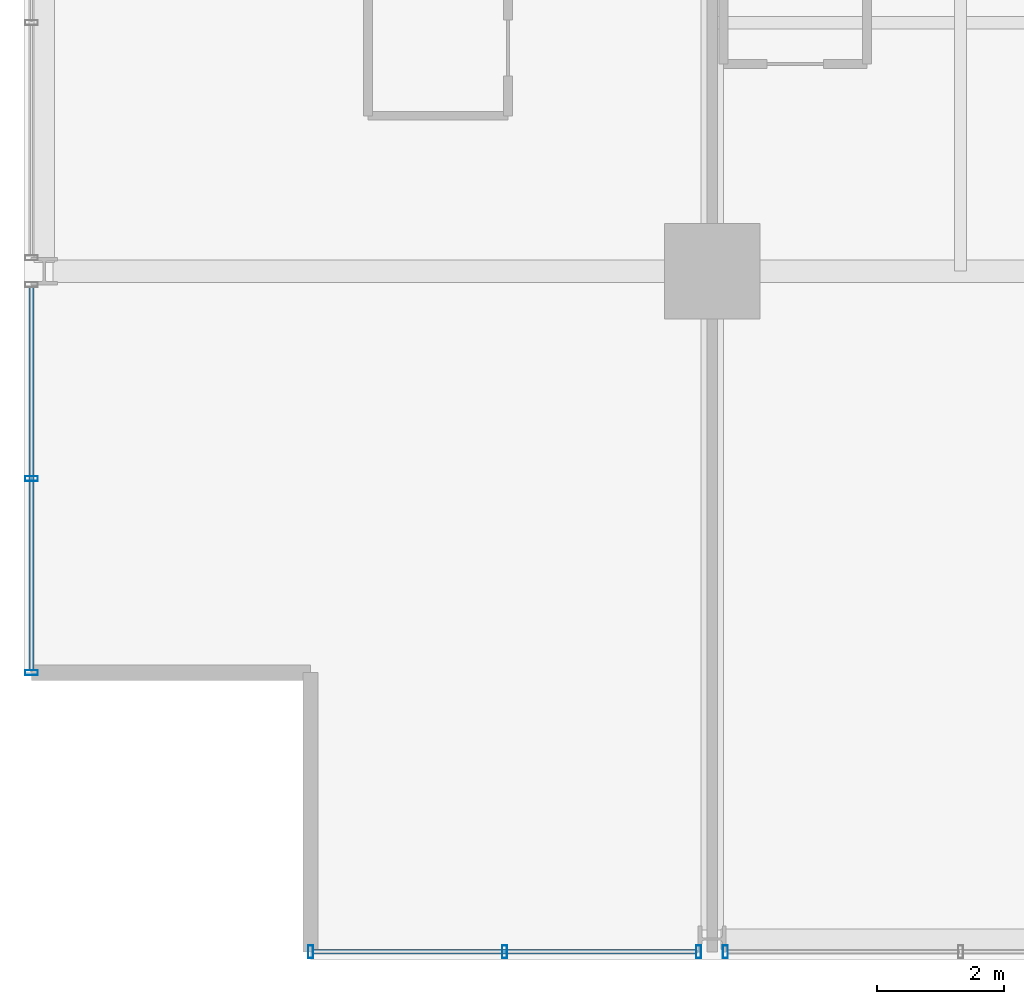
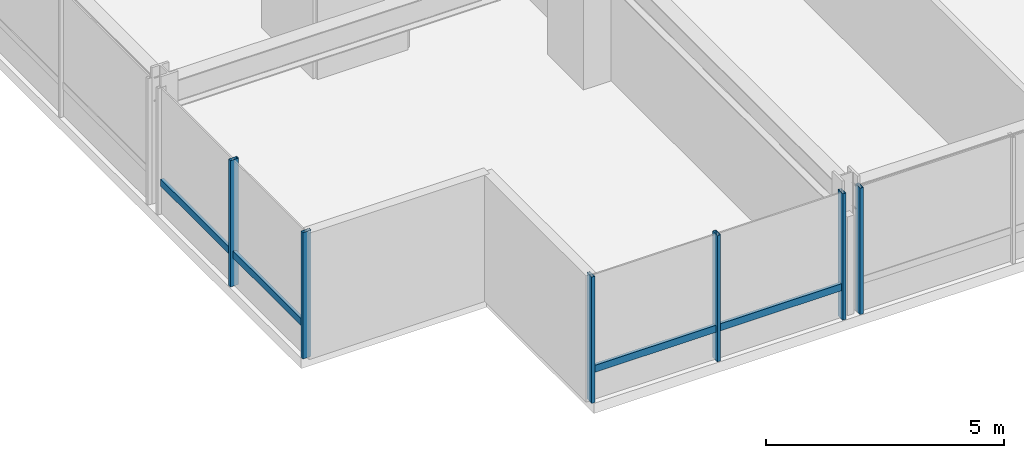
# One storey, part 2 of 33: 8 members, 3 elements without a shape of their own.
"""IFC4 building model written with IfcOpenShell, lengths in metres."""

from ifc_helpers import new_model, si_unit, direction, frame, origin, origin_2d, place, context, subcontext, project, spatial, hollow_rectangle, extrude, material, layer, layer_set, material_profile, profile_set, type_object, element, aggregate, save


model = new_model("IFC4")

# Units and contexts
model_context = context("Model", 3, precision=1e-05, world=origin(), true_north=direction((0.0, 1.0)))
body_context = subcontext(model_context, "Body", "Model", "MODEL_VIEW")
ifc_project = project(units=[si_unit("LENGTHUNIT", "METRE"), si_unit("AREAUNIT", "SQUARE_METRE"), si_unit("VOLUMEUNIT", "CUBIC_METRE"), si_unit("PLANEANGLEUNIT", "RADIAN"), si_unit("MASSUNIT", "GRAM", prefix="KILO")], contexts=[model_context])

# Site, building, storey
site_placement = place(None, origin())
site = spatial("IfcSite", under=ifc_project, at=site_placement, CompositionType="ELEMENT")
building_placement = place(site_placement, origin())
building = spatial("IfcBuilding", under=site, at=building_placement, Name="Drelvath Grand Hotel", CompositionType="ELEMENT")
storey_placement = place(building_placement, frame((0.0, 0.0, 119.800048828125)))
storey = spatial("IfcBuildingStorey", under=building, at=storey_placement, Name="L30", CompositionType="ELEMENT", Elevation=119.800048828125)

# Curtain wall, member
ifc_material = material(Name="Champagne Bronze Anodised Aluminium Frame", Category="aluminium")
ifc_layer = layer(ifc_material, 0.199951171875)
ifc_layer_set = layer_set([ifc_layer], Name="Champagne Bronze Anodised Aluminium Frame")
curtain_wall_type = type_object("IfcCurtainWallType", Name="Stick Curtain Wall CW-03 Champagne Bronze Mid-Rise", PredefinedType="NOTDEFINED", material=ifc_layer_set)
curtain_wall_1_placement = place(storey_placement, origin())
curtain_wall_1 = element("IfcCurtainWall", 1, at=curtain_wall_1_placement, inside=storey, type_object=curtain_wall_type, Name="L30 CW-03 Curtain Wall CW03-L30-WS1", PredefinedType="NOTDEFINED")
ifc_material_profile_1 = material_profile(ifc_material, hollow_rectangle(XDim=0.074951171875, YDim=0.179931640625, WallThickness=0.0048828125, at=origin_2d()), Name="HSS180X75X5")
ifc_profile_set_1 = profile_set([ifc_material_profile_1], Name="Champagne Bronze Anodised Aluminium Frame")
member_type_1 = type_object("IfcMemberType", Name="Curtain Wall Horizontal Transom CW-03 HSS180X75X5", PredefinedType="USERDEFINED", material=ifc_profile_set_1)
member_1_placement = place(storey_placement, frame((-26.8798828125, 4.5400390625, 0.81005859375), z_axis=(0.0, 1.0, 0.0), x_axis=(-1.0, 0.0, 0.0)))
member_1 = element("IfcMember", 2, at=member_1_placement, type_object=member_type_1, Name="CW03-L30-WS1 Sill Transom", ObjectType="TRANSOM", PredefinedType="USERDEFINED", context=body_context, shape_type="SweptSolid", body=[
    extrude(hollow_rectangle(XDim=0.074951171875, YDim=0.179931640625, WallThickness=0.0048828125, at=origin_2d()), origin(), (0.0, 0.0, 1.0), 6.010498046875),
])

curtain_wall_2_placement = place(storey_placement, origin())
curtain_wall_2 = element("IfcCurtainWall", 3, at=curtain_wall_2_placement, inside=storey, type_object=curtain_wall_type, Name="L30 CW-03 Curtain Wall CW03-L30-SW1", PredefinedType="NOTDEFINED")
member_2_placement = place(storey_placement, frame((-16.449462890625, 0.1201171875, 0.81005859375), z_axis=(-1.0, 0.0, 0.0), x_axis=(0.0, -1.0, 0.0)))
member_2 = element("IfcMember", 4, at=member_2_placement, type_object=member_type_1, Name="CW03-L30-SW1 Sill Transom", ObjectType="TRANSOM", PredefinedType="USERDEFINED", context=body_context, shape_type="SweptSolid", body=[
    extrude(hollow_rectangle(XDim=0.074951171875, YDim=0.179931640625, WallThickness=0.0048828125, at=origin_2d()), origin(), (0.0, 0.0, 1.0), 6.010498046875),
])

# Member
ifc_material_profile_2 = material_profile(ifc_material, hollow_rectangle(XDim=0.080078125, YDim=0.199951171875, WallThickness=0.0048828125, at=origin_2d()), Name="HSS200X80X5")
ifc_profile_set_2 = profile_set([ifc_material_profile_2], Name="Champagne Bronze Anodised Aluminium Frame")
member_type_2 = type_object("IfcMemberType", Name="Curtain Wall Vertical Mullion CW-03 HSS200X80X5", PredefinedType="MULLION", material=ifc_profile_set_2)
member_3_placement = place(storey_placement, frame((-26.8798828125, 4.5, 0.0), z_axis=(0.0, 0.0, 1.0), x_axis=(0.0, 1.0, 0.0)))
member_3 = element("IfcMember", 5, at=member_3_placement, type_object=member_type_2, Name="CW03-L30-WS1 Mullion 1", PredefinedType="MULLION", context=body_context, shape_type="SweptSolid", body=[
    extrude(hollow_rectangle(XDim=0.080078125, YDim=0.199951171875, WallThickness=0.0048828125, at=origin_2d()), origin(), (0.0, 0.0, 1.0), 3.239990234375),
])

member_4_placement = place(storey_placement, frame((-26.8798828125, 7.54541015625, 0.0), z_axis=(0.0, 0.0, 1.0), x_axis=(0.0, 1.0, 0.0)))
member_4 = element("IfcMember", 6, at=member_4_placement, type_object=member_type_2, Name="CW03-L30-WS1 Mullion 2", PredefinedType="MULLION", context=body_context, shape_type="SweptSolid", body=[
    extrude(hollow_rectangle(XDim=0.080078125, YDim=0.199951171875, WallThickness=0.0048828125, at=origin_2d()), origin(), (0.0, 0.0, 1.0), 3.239990234375),
])

aggregate(curtain_wall_1, [member_3, member_4, member_1])

member_5_placement = place(storey_placement, frame((-16.409423828125, 0.1201171875, 0.0), z_axis=(0.0, 0.0, 1.0), x_axis=(1.0, 0.0, 0.0)))
member_5 = element("IfcMember", 7, at=member_5_placement, type_object=member_type_2, Name="CW03-L30-SW1 Mullion 1", PredefinedType="MULLION", context=body_context, shape_type="SweptSolid", body=[
    extrude(hollow_rectangle(XDim=0.080078125, YDim=0.199951171875, WallThickness=0.0048828125, at=origin_2d()), origin(), (0.0, 0.0, 1.0), 3.239990234375),
])

member_6_placement = place(storey_placement, frame((-19.45458984375, 0.1201171875, 0.0), z_axis=(0.0, 0.0, 1.0), x_axis=(1.0, 0.0, 0.0)))
member_6 = element("IfcMember", 8, at=member_6_placement, type_object=member_type_2, Name="CW03-L30-SW1 Mullion 2", PredefinedType="MULLION", context=body_context, shape_type="SweptSolid", body=[
    extrude(hollow_rectangle(XDim=0.080078125, YDim=0.199951171875, WallThickness=0.0048828125, at=origin_2d()), origin(), (0.0, 0.0, 1.0), 3.239990234375),
])

member_7_placement = place(storey_placement, frame((-22.5, 0.1201171875, 0.0), z_axis=(0.0, 0.0, 1.0), x_axis=(1.0, 0.0, 0.0)))
member_7 = element("IfcMember", 9, at=member_7_placement, type_object=member_type_2, Name="CW03-L30-SW1 Mullion 3", PredefinedType="MULLION", context=body_context, shape_type="SweptSolid", body=[
    extrude(hollow_rectangle(XDim=0.080078125, YDim=0.199951171875, WallThickness=0.0048828125, at=origin_2d()), origin(), (0.0, 0.0, 1.0), 3.239990234375),
])

aggregate(curtain_wall_2, [member_5, member_6, member_7, member_2])

# Curtain wall, member
curtain_wall_3_placement = place(storey_placement, origin())
curtain_wall_3 = element("IfcCurtainWall", 10, at=curtain_wall_3_placement, inside=storey, type_object=curtain_wall_type, Name="L30 CW-03 Curtain Wall CW03-L30-SW2", PredefinedType="NOTDEFINED")
member_8_placement = place(storey_placement, frame((-15.990478515625, 0.1201171875, 0.0), z_axis=(0.0, 0.0, 1.0), x_axis=(1.0, 0.0, 0.0)))
member_8 = element("IfcMember", 11, at=member_8_placement, type_object=member_type_2, Name="CW03-L30-SW2 Mullion 3", PredefinedType="MULLION", context=body_context, shape_type="SweptSolid", body=[
    extrude(hollow_rectangle(XDim=0.080078125, YDim=0.199951171875, WallThickness=0.0048828125, at=origin_2d()), origin(), (0.0, 0.0, 1.0), 3.239990234375),
])
aggregate(curtain_wall_3, [member_8])

save(model, "model.ifc")
